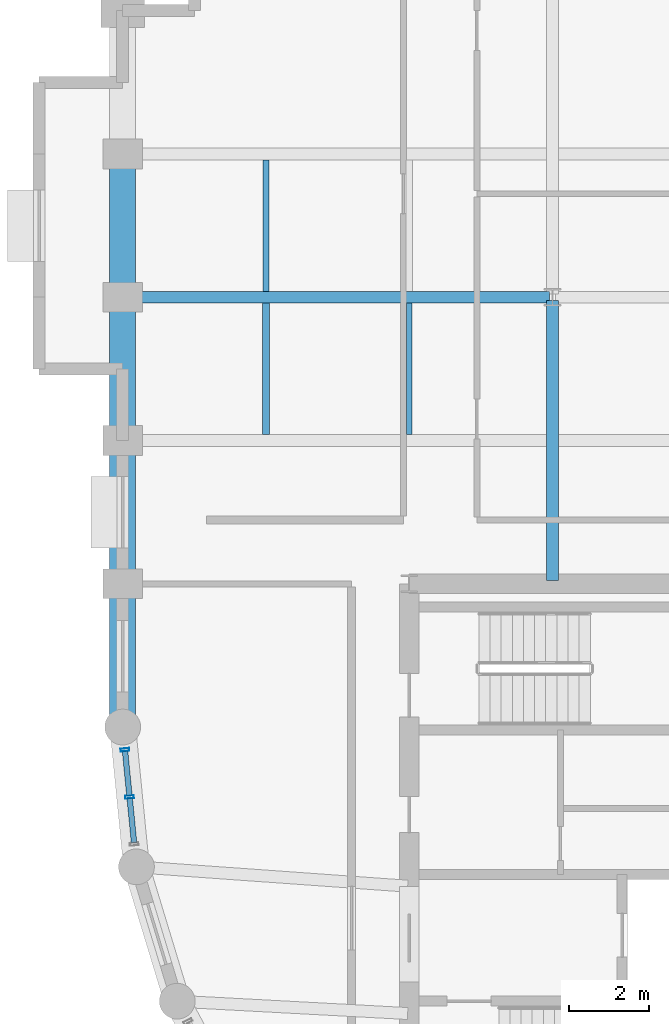
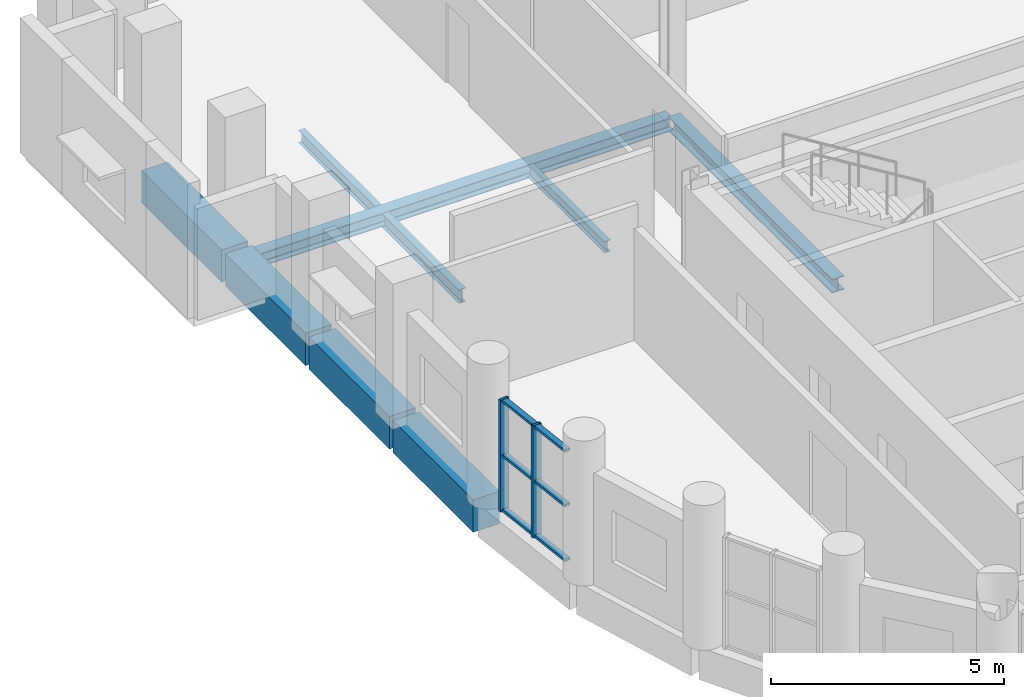
# One storey, part 5 of 14: 9 beams, 8 members, 1 element without a shape of its own.
"""IFC4 building model written with IfcOpenShell, lengths in metres."""

from ifc_helpers import new_model, si_unit, direction, frame, origin, origin_2d, place, context, subcontext, project, spatial, rectangle, hollow_rectangle, i_section, extrude, material, layer, layer_set, material_profile, profile_set, type_object, element, aggregate, save


model = new_model("IFC4")

# Units and contexts
model_context = context("Model", 3, precision=1e-05, world=origin(), true_north=direction((0.0, 1.0)))
body_context = subcontext(model_context, "Body", "Model", "MODEL_VIEW")
ifc_project = project(units=[si_unit("LENGTHUNIT", "METRE"), si_unit("AREAUNIT", "SQUARE_METRE"), si_unit("VOLUMEUNIT", "CUBIC_METRE"), si_unit("PLANEANGLEUNIT", "RADIAN"), si_unit("MASSUNIT", "GRAM", prefix="KILO")], contexts=[model_context])

# Site, building, storey
site_placement = place(None, origin())
site = spatial("IfcSite", under=ifc_project, at=site_placement, CompositionType="ELEMENT")
building_placement = place(site_placement, origin())
building = spatial("IfcBuilding", under=site, at=building_placement, Name="Solnavia Interchange Tower", CompositionType="ELEMENT")
storey_placement = place(building_placement, frame((0.0, 0.0, 158.0)))
storey = spatial("IfcBuildingStorey", under=building, at=storey_placement, Name="L39", CompositionType="ELEMENT", Elevation=158.0)

# Beams
ifc_material_1 = material(Name="Steel S460", Category="steel")
ifc_material_profile_1 = material_profile(ifc_material_1, i_section(OverallWidth=0.300048828125, OverallDepth=0.360107421875, WebThickness=0.012451171875, FlangeThickness=0.0224609375, FilletRadius=0.027099609375, at=origin_2d()), Name="HEB 360")
ifc_profile_set_1 = profile_set([ifc_material_profile_1], Name="Steel S460")
beam_type_1 = type_object("IfcBeamType", Name="Beam-Girder-HEB360", PredefinedType="BEAM", material=ifc_profile_set_1)
beam_1_placement = place(storey_placement, frame((18.0, 25.280029296875, -0.429931640625), z_axis=(0.0, 1.0, 0.0), x_axis=(-1.0, 0.0, 0.0)))
element("IfcBeam", 1, at=beam_1_placement, inside=storey, type_object=beam_type_1, Name="GRD-L39-NS08 North wing spine girder", PredefinedType="BEAM", context=body_context, shape_type="SweptSolid", body=[
    extrude(i_section(OverallWidth=0.300048828125, OverallDepth=0.360107421875, WebThickness=0.012451171875, FlangeThickness=0.0224609375, FilletRadius=0.027099609375, at=origin_2d()), origin(), (0.0, 0.0, 1.0), 7.0400390625),
])
ifc_material_2 = material(Name="Steel S355", Category="steel")
ifc_material_profile_2 = material_profile(ifc_material_2, i_section(OverallWidth=0.14990234375, OverallDepth=0.300048828125, WebThickness=0.007080078125, FlangeThickness=0.0107421875, FilletRadius=0.014892578125, at=origin_2d()), Name="IPE 300")
ifc_profile_set_2 = profile_set([ifc_material_profile_2], Name="Steel S355")
beam_type_2 = type_object("IfcBeamType", Name="Beam-Joist-IPE300", PredefinedType="JOIST", material=ifc_profile_set_2)
beam_2_placement = place(storey_placement, frame((14.39990234375, 28.949951171875, -0.39990234375), z_axis=(0.0, 1.0, 0.0), x_axis=(-1.0, 0.0, 0.0)))
element("IfcBeam", 2, at=beam_2_placement, inside=storey, type_object=beam_type_2, Name="JST-L39-N15 North wing secondary joist", PredefinedType="JOIST", context=body_context, shape_type="SweptSolid", body=[
    extrude(i_section(OverallWidth=0.14990234375, OverallDepth=0.300048828125, WebThickness=0.007080078125, FlangeThickness=0.0107421875, FilletRadius=0.014892578125, at=origin_2d()), origin(), (0.0, 0.0, 1.0), 3.300048828125),
])
ifc_material_profile_3 = material_profile(ifc_material_2, i_section(OverallWidth=0.159912109375, OverallDepth=0.330078125, WebThickness=0.007568359375, FlangeThickness=0.011474609375, FilletRadius=0.01806640625, at=origin_2d()), Name="IPE 330")
ifc_profile_set_3 = profile_set([ifc_material_profile_3], Name="Steel S355")
beam_type_3 = type_object("IfcBeamType", Name="Beam-Joist-IPE330", PredefinedType="JOIST", material=ifc_profile_set_3)
beam_3_placement = place(storey_placement, frame((10.800048828125, 32.550048828125, -0.4150390625), z_axis=(0.0, 1.0, 0.0), x_axis=(-1.0, 0.0, 0.0)))
element("IfcBeam", 3, at=beam_3_placement, inside=storey, type_object=beam_type_3, Name="JST-L39-N14 North wing secondary joist", PredefinedType="JOIST", context=body_context, shape_type="SweptSolid", body=[
    extrude(i_section(OverallWidth=0.159912109375, OverallDepth=0.330078125, WebThickness=0.007568359375, FlangeThickness=0.011474609375, FilletRadius=0.01806640625, at=origin_2d()), origin(), (0.0, 0.0, 1.0), 3.300048828125),
])
ifc_material_profile_4 = material_profile(ifc_material_2, i_section(OverallWidth=0.169921875, OverallDepth=0.360107421875, WebThickness=0.008056640625, FlangeThickness=0.0126953125, FilletRadius=0.01806640625, at=origin_2d()), Name="IPE 360")
ifc_profile_set_4 = profile_set([ifc_material_profile_4], Name="Steel S355")
beam_type_4 = type_object("IfcBeamType", Name="Beam-Joist-IPE360", PredefinedType="JOIST", material=ifc_profile_set_4)
beam_4_placement = place(storey_placement, frame((10.800048828125, 28.949951171875, -0.429931640625), z_axis=(0.0, 1.0, 0.0), x_axis=(-1.0, 0.0, 0.0)))
element("IfcBeam", 4, at=beam_4_placement, inside=storey, type_object=beam_type_4, Name="JST-L39-N13 North wing secondary joist", PredefinedType="JOIST", context=body_context, shape_type="SweptSolid", body=[
    extrude(i_section(OverallWidth=0.169921875, OverallDepth=0.360107421875, WebThickness=0.008056640625, FlangeThickness=0.0126953125, FilletRadius=0.01806640625, at=origin_2d()), origin(), (0.0, 0.0, 1.0), 3.300048828125),
])
ifc_material_profile_5 = material_profile(ifc_material_2, i_section(OverallWidth=0.300048828125, OverallDepth=0.35009765625, WebThickness=0.010009765625, FlangeThickness=0.017578125, FilletRadius=0.027099609375, at=origin_2d()), Name="HEA 360")
ifc_profile_set_5 = profile_set([ifc_material_profile_5], Name="Steel S355")
beam_type_5 = type_object("IfcBeamType", Name="Beam-Primary-HEA360", PredefinedType="BEAM", material=ifc_profile_set_5)
beam_5_placement = place(storey_placement, frame((7.280029296875, 32.39990234375, -0.425048828125), z_axis=(1.0, 0.0, 0.0), x_axis=(0.0, 1.0, 0.0)))
element("IfcBeam", 5, at=beam_5_placement, inside=storey, type_object=beam_type_5, Name="GRD-L39-NW11 North wing primary floor girder", PredefinedType="BEAM", context=body_context, shape_type="SweptSolid", body=[
    extrude(i_section(OverallWidth=0.300048828125, OverallDepth=0.35009765625, WebThickness=0.010009765625, FlangeThickness=0.017578125, FilletRadius=0.027099609375, at=origin_2d()), origin(), (0.0, 0.0, 1.0), 10.639892578125),
])
ifc_material_3 = material(Name="Concrete C50/60", Category="concrete")
ifc_material_profile_6 = material_profile(ifc_material_3, rectangle(XDim=0.64990234375, YDim=0.85009765625, at=origin_2d()), Name="RC 650x850")
ifc_profile_set_6 = profile_set([ifc_material_profile_6], Name="Concrete C50/60")
beam_type_6 = type_object("IfcBeamType", Name="Beam-Spandrel-RC650x850", PredefinedType="SPANDREL", material=ifc_profile_set_6)
beam_6_placement = place(storey_placement, frame((7.199951171875, 35.919921875, -0.425048828125), z_axis=(0.0, -1.0, 0.0), x_axis=(1.0, 0.0, 0.0)))
element("IfcBeam", 6, at=beam_6_placement, inside=storey, type_object=beam_type_6, Name="SPB-L39-33 Framed-tube perimeter spandrel beam", PredefinedType="SPANDREL", context=body_context, shape_type="SweptSolid", body=[
    extrude(rectangle(XDim=0.64990234375, YDim=0.85009765625, at=origin_2d()), origin(), (0.0, 0.0, 1.0), 3.43994140625),
])
beam_7_placement = place(storey_placement, frame((7.199951171875, 32.320068359375, -0.425048828125), z_axis=(0.0, -1.0, 0.0), x_axis=(1.0, 0.0, 0.0)))
element("IfcBeam", 7, at=beam_7_placement, inside=storey, type_object=beam_type_6, Name="SPB-L39-34 Framed-tube perimeter spandrel beam", PredefinedType="SPANDREL", context=body_context, shape_type="SweptSolid", body=[
    extrude(rectangle(XDim=0.64990234375, YDim=0.85009765625, at=origin_2d()), origin(), (0.0, 0.0, 1.0), 3.440185546875),
])
beam_8_placement = place(storey_placement, frame((7.199951171875, 28.719970703125, -0.425048828125), z_axis=(0.0, -1.0, 0.0), x_axis=(1.0, 0.0, 0.0)))
element("IfcBeam", 8, at=beam_8_placement, inside=storey, type_object=beam_type_6, Name="SPB-L39-35 Framed-tube perimeter spandrel beam", PredefinedType="SPANDREL", context=body_context, shape_type="SweptSolid", body=[
    extrude(rectangle(XDim=0.64990234375, YDim=0.85009765625, at=origin_2d()), origin(), (0.0, 0.0, 1.0), 3.43994140625),
])
beam_9_placement = place(storey_placement, frame((7.199951171875, 25.1201171875, -0.425048828125), z_axis=(0.0, -1.0, 0.0), x_axis=(1.0, 0.0, 0.0)))
element("IfcBeam", 9, at=beam_9_placement, inside=storey, type_object=beam_type_6, Name="SPB-L39-36 Framed-tube perimeter spandrel beam", PredefinedType="SPANDREL", context=body_context, shape_type="SweptSolid", body=[
    extrude(rectangle(XDim=0.64990234375, YDim=0.85009765625, at=origin_2d()), origin(), (0.0, 0.0, 1.0), 3.440185546875),
])

# Curtain wall, members
ifc_material_4 = material(Name="Aluminium Alloy 6063-T6", Category="aluminium")
ifc_layer = layer(ifc_material_4, 0.239990234375)
ifc_layer_set = layer_set([ifc_layer], Name="Aluminium Alloy 6063-T6")
curtain_wall_type = type_object("IfcCurtainWallType", Name="CurtainWall-Drum-CTW2", PredefinedType="NOTDEFINED", material=ifc_layer_set)
curtain_wall_placement = place(storey_placement, origin())
curtain_wall = element("IfcCurtainWall", 10, at=curtain_wall_placement, inside=storey, type_object=curtain_wall_type, Name="CTW-L39-D51 CTW-2 curtain wall", PredefinedType="NOTDEFINED")
ifc_material_profile_7 = material_profile(ifc_material_4, hollow_rectangle(XDim=0.074951171875, YDim=0.219970703125, WallThickness=0.0048828125, at=origin_2d()), Name="ALU 220x75x5")
ifc_profile_set_7 = profile_set([ifc_material_profile_7], Name="Aluminium Alloy 6063-T6")
member_type_1 = type_object("IfcMemberType", Name="CW-Mullion-CWM-2", PredefinedType="MULLION", material=ifc_profile_set_7)
member_1_placement = place(storey_placement, frame((7.25634765625, 21.02783203125, 0.0), z_axis=(0.0, 0.0, 1.0), x_axis=(0.098043088306, -0.995182170678, 0.0)))
member_1 = element("IfcMember", 11, at=member_1_placement, type_object=member_type_1, Name="CTW-2 mullion 1", PredefinedType="MULLION", context=body_context, shape_type="SweptSolid", body=[
    extrude(hollow_rectangle(XDim=0.074951171875, YDim=0.219970703125, WallThickness=0.0048828125, at=origin_2d()), origin(), (0.0, 0.0, 1.0), 2.929931640625),
])
member_2_placement = place(storey_placement, frame((7.373046875, 19.843994140625, 0.0), z_axis=(0.0, 0.0, 1.0), x_axis=(0.098043088306, -0.995182170678, 0.0)))
member_2 = element("IfcMember", 12, at=member_2_placement, type_object=member_type_1, Name="CTW-2 mullion 2", PredefinedType="MULLION", context=body_context, shape_type="SweptSolid", body=[
    extrude(hollow_rectangle(XDim=0.074951171875, YDim=0.219970703125, WallThickness=0.0048828125, at=origin_2d()), origin(), (0.0, 0.0, 1.0), 2.929931640625),
])
ifc_material_profile_8 = material_profile(ifc_material_4, hollow_rectangle(XDim=0.06494140625, YDim=0.139892578125, WallThickness=0.00390625, at=origin_2d()), Name="ALU 140x65x4")
ifc_profile_set_8 = profile_set([ifc_material_profile_8], Name="Aluminium Alloy 6063-T6")
member_type_2 = type_object("IfcMemberType", Name="CW-Transom-CWT-2", PredefinedType="USERDEFINED", material=ifc_profile_set_8)
member_3_placement = place(storey_placement, frame((7.260009765625, 20.990478515625, 0.032470703125), z_axis=(0.098137234257, -0.995172891136, 0.0), x_axis=(0.0, 0.0, 1.0)))
member_3 = element("IfcMember", 13, at=member_3_placement, type_object=member_type_2, Name="CTW-2 transom 1.1", ObjectType="TRANSOM", PredefinedType="USERDEFINED", context=body_context, shape_type="SweptSolid", body=[
    extrude(hollow_rectangle(XDim=0.06494140625, YDim=0.139892578125, WallThickness=0.00390625, at=origin_2d()), origin(), (0.0, 0.0, 1.0), 1.114501953125),
])
member_4_placement = place(storey_placement, frame((7.260009765625, 20.990478515625, 1.465087890625), z_axis=(0.098137234257, -0.995172891136, 0.0), x_axis=(0.0, 0.0, 1.0)))
member_4 = element("IfcMember", 14, at=member_4_placement, type_object=member_type_2, Name="CTW-2 transom 1.2", ObjectType="TRANSOM", PredefinedType="USERDEFINED", context=body_context, shape_type="SweptSolid", body=[
    extrude(hollow_rectangle(XDim=0.06494140625, YDim=0.139892578125, WallThickness=0.00390625, at=origin_2d()), origin(), (0.0, 0.0, 1.0), 1.114501953125),
])
member_5_placement = place(storey_placement, frame((7.260009765625, 20.990478515625, 2.8974609375), z_axis=(0.098137234257, -0.995172891136, 0.0), x_axis=(0.0, 0.0, 1.0)))
member_5 = element("IfcMember", 15, at=member_5_placement, type_object=member_type_2, Name="CTW-2 transom 1.3", ObjectType="TRANSOM", PredefinedType="USERDEFINED", context=body_context, shape_type="SweptSolid", body=[
    extrude(hollow_rectangle(XDim=0.06494140625, YDim=0.139892578125, WallThickness=0.00390625, at=origin_2d()), origin(), (0.0, 0.0, 1.0), 1.114501953125),
])
member_6_placement = place(storey_placement, frame((7.376708984375, 19.806640625, 0.032470703125), z_axis=(0.097920280653, -0.995194261758, 0.0), x_axis=(0.0, 0.0, 1.0)))
member_6 = element("IfcMember", 16, at=member_6_placement, type_object=member_type_2, Name="CTW-2 transom 2.1", ObjectType="TRANSOM", PredefinedType="USERDEFINED", context=body_context, shape_type="SweptSolid", body=[
    extrude(hollow_rectangle(XDim=0.06494140625, YDim=0.139892578125, WallThickness=0.00390625, at=origin_2d()), origin(), (0.0, 0.0, 1.0), 1.114501953125),
])
member_7_placement = place(storey_placement, frame((7.376708984375, 19.806640625, 1.465087890625), z_axis=(0.097920280653, -0.995194261758, 0.0), x_axis=(0.0, 0.0, 1.0)))
member_7 = element("IfcMember", 17, at=member_7_placement, type_object=member_type_2, Name="CTW-2 transom 2.2", ObjectType="TRANSOM", PredefinedType="USERDEFINED", context=body_context, shape_type="SweptSolid", body=[
    extrude(hollow_rectangle(XDim=0.06494140625, YDim=0.139892578125, WallThickness=0.00390625, at=origin_2d()), origin(), (0.0, 0.0, 1.0), 1.114501953125),
])
member_8_placement = place(storey_placement, frame((7.376708984375, 19.806640625, 2.8974609375), z_axis=(0.097920280653, -0.995194261758, 0.0), x_axis=(0.0, 0.0, 1.0)))
member_8 = element("IfcMember", 18, at=member_8_placement, type_object=member_type_2, Name="CTW-2 transom 2.3", ObjectType="TRANSOM", PredefinedType="USERDEFINED", context=body_context, shape_type="SweptSolid", body=[
    extrude(hollow_rectangle(XDim=0.06494140625, YDim=0.139892578125, WallThickness=0.00390625, at=origin_2d()), origin(), (0.0, 0.0, 1.0), 1.114501953125),
])
aggregate(curtain_wall, [member_1, member_2, member_3, member_4, member_5, member_6, member_7, member_8])

save(model, "model.ifc")
